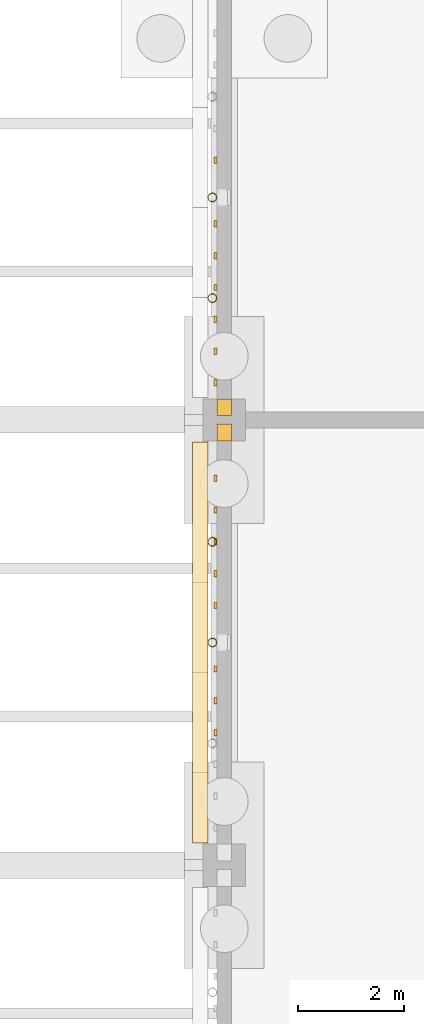
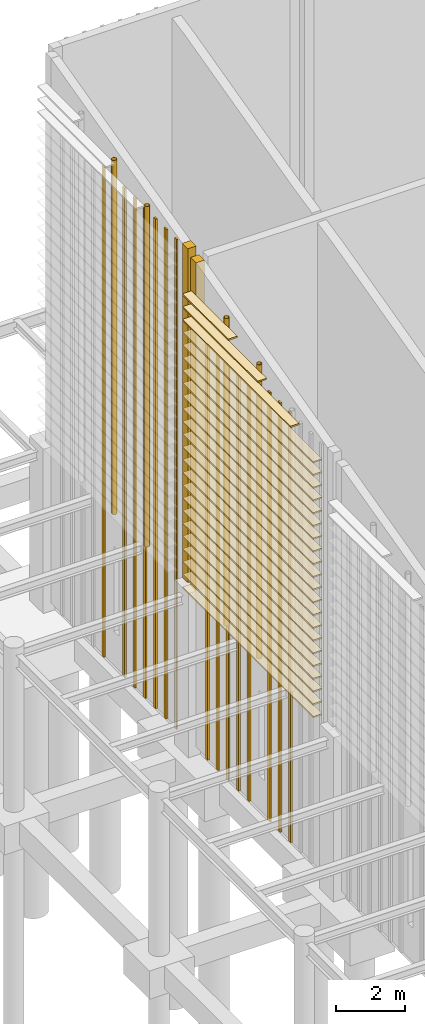
# One storey, part 66 of 82: 26 coverings, 19 shading devices.
"""IFC4 building model written with IfcOpenShell, lengths in metres."""

from ifc_helpers import new_model, si_unit, direction, frame, origin, origin_2d, place, context, subcontext, project, spatial, rectangle, hollow_circle, extrude, material, layer, layer_set, material_profile, profile_set, type_object, element, save


model = new_model("IFC4")

# Units and contexts
model_context = context("Model", 3, precision=1e-05, world=origin(), true_north=direction((0.0, 1.0)))
body_context = subcontext(model_context, "Body", "Model", "MODEL_VIEW")
ifc_project = project(units=[si_unit("LENGTHUNIT", "METRE"), si_unit("AREAUNIT", "SQUARE_METRE"), si_unit("VOLUMEUNIT", "CUBIC_METRE"), si_unit("PLANEANGLEUNIT", "RADIAN"), si_unit("MASSUNIT", "GRAM", prefix="KILO")], contexts=[model_context])

# Site, building, storey
site_placement = place(None, origin())
site = spatial("IfcSite", under=ifc_project, at=site_placement, CompositionType="ELEMENT")
building_placement = place(site_placement, origin())
building = spatial("IfcBuilding", under=site, at=building_placement, Name="Almond Square Museum", CompositionType="ELEMENT")
storey_placement = place(building_placement, origin())
storey = spatial("IfcBuildingStorey", under=building, at=storey_placement, Name="L00", CompositionType="ELEMENT", Elevation=0.0)

# Shading devices
ifc_material_1 = material(Name="Structural steel S355", Category="steel")
ifc_material_profile_1 = material_profile(ifc_material_1, hollow_circle(Radius=0.084228515625, WallThickness=0.008056640625, at=origin_2d()))
ifc_profile_set_1 = profile_set([ifc_material_profile_1], Name="Structural steel S355")
shading_device_type_1 = type_object("IfcShadingDeviceType", Name="Louvre post CHS 168.3 x 8", PredefinedType="USERDEFINED", material=ifc_profile_set_1)
shading_device_1_placement = place(storey_placement, frame((5.77587890625, 103.10009765625, 5.5), z_axis=(0.0, 0.0, 1.0), x_axis=(1.0, 0.0, 0.0)))
element("IfcShadingDevice", 1, at=shading_device_1_placement, inside=storey, type_object=shading_device_type_1, Name="Louvre screen post", ObjectType="POST", PredefinedType="USERDEFINED", context=body_context, shape_type="SweptSolid", body=[
    extrude(hollow_circle(Radius=0.084228515625, WallThickness=0.008056640625, at=origin_2d()), origin(), (0.0, 0.0, 1.0), 12.02587890625),
])
shading_device_2_placement = place(storey_placement, frame((5.77587890625, 105.0, 5.5), z_axis=(0.0, 0.0, 1.0), x_axis=(1.0, 0.0, 0.0)))
element("IfcShadingDevice", 2, at=shading_device_2_placement, inside=storey, type_object=shading_device_type_1, Name="Louvre screen post", ObjectType="POST", PredefinedType="USERDEFINED", context=body_context, shape_type="SweptSolid", body=[
    extrude(hollow_circle(Radius=0.084228515625, WallThickness=0.008056640625, at=origin_2d()), origin(), (0.0, 0.0, 1.0), 12.506591796875),
])
shading_device_3_placement = place(storey_placement, frame((5.77587890625, 96.60009765625, 5.5), z_axis=(0.0, 0.0, 1.0), x_axis=(1.0, 0.0, 0.0)))
element("IfcShadingDevice", 3, at=shading_device_3_placement, inside=storey, type_object=shading_device_type_1, Name="Louvre screen post", ObjectType="POST", PredefinedType="USERDEFINED", context=body_context, shape_type="SweptSolid", body=[
    extrude(hollow_circle(Radius=0.084228515625, WallThickness=0.008056640625, at=origin_2d()), origin(), (0.0, 0.0, 1.0), 10.381591796875),
])
shading_device_4_placement = place(storey_placement, frame((5.77587890625, 98.5, 5.5), z_axis=(0.0, 0.0, 1.0), x_axis=(1.0, 0.0, 0.0)))
element("IfcShadingDevice", 4, at=shading_device_4_placement, inside=storey, type_object=shading_device_type_1, Name="Louvre screen post", ObjectType="POST", PredefinedType="USERDEFINED", context=body_context, shape_type="SweptSolid", body=[
    extrude(hollow_circle(Radius=0.084228515625, WallThickness=0.008056640625, at=origin_2d()), origin(), (0.0, 0.0, 1.0), 10.8623046875),
])

# Coverings
ifc_material_2 = material(Name="Cedar timber louvre board", Category="wood")
ifc_material_profile_2 = material_profile(ifc_material_2, rectangle(XDim=0.300048828125, YDim=0.050048828125, at=origin_2d()))
ifc_profile_set_2 = profile_set([ifc_material_profile_2], Name="Cedar timber louvre board")
covering_type_1 = type_object("IfcCoveringType", Name="Louvre screen board 300 x 50", PredefinedType="CLADDING", material=ifc_profile_set_2)
for number, where, z_axis, x_axis, name in (
    (5, (5.545654296875, 92.820068359375, 5.800048828125), (0.0, 1.0, 0.0), (-1.0, 0.0, 0.0), "Louvre screen board"),
    (6, (5.545654296875, 92.820068359375, 6.25), (0.0, 1.0, 0.0), (-1.0, 0.0, 0.0), "Louvre screen board"),
    (7, (5.545654296875, 92.820068359375, 6.699951171875), (0.0, 1.0, 0.0), (-1.0, 0.0, 0.0), "Louvre screen board"),
    (8, (5.545654296875, 92.820068359375, 7.14990234375), (0.0, 1.0, 0.0), (-1.0, 0.0, 0.0), "Louvre screen board"),
    (9, (5.545654296875, 92.820068359375, 7.60009765625), (0.0, 1.0, 0.0), (-1.0, 0.0, 0.0), "Louvre screen board"),
    (10, (5.545654296875, 92.820068359375, 8.050048828125), (0.0, 1.0, 0.0), (-1.0, 0.0, 0.0), "Louvre screen board"),
    (11, (5.545654296875, 92.820068359375, 8.5), (0.0, 1.0, 0.0), (-1.0, 0.0, 0.0), "Louvre screen board"),
    (12, (5.545654296875, 92.820068359375, 8.949951171875), (0.0, 1.0, 0.0), (-1.0, 0.0, 0.0), "Louvre screen board"),
    (13, (5.545654296875, 92.820068359375, 9.39990234375), (0.0, 1.0, 0.0), (-1.0, 0.0, 0.0), "Louvre screen board"),
    (14, (5.545654296875, 92.820068359375, 9.85009765625), (0.0, 1.0, 0.0), (-1.0, 0.0, 0.0), "Louvre screen board"),
    (15, (5.545654296875, 92.820068359375, 10.300048828125), (0.0, 1.0, 0.0), (-1.0, 0.0, 0.0), "Louvre screen board"),
    (16, (5.545654296875, 92.820068359375, 10.75), (0.0, 1.0, 0.0), (-1.0, 0.0, 0.0), "Louvre screen board"),
    (17, (5.545654296875, 92.820068359375, 11.199951171875), (0.0, 1.0, 0.0), (-1.0, 0.0, 0.0), "Louvre screen board"),
    (18, (5.545654296875, 92.820068359375, 11.64990234375), (0.0, 1.0, 0.0), (-1.0, 0.0, 0.0), "Louvre screen board"),
    (19, (5.545654296875, 92.820068359375, 12.10009765625), (0.0, 1.0, 0.0), (-1.0, 0.0, 0.0), "Louvre screen board"),
    (20, (5.545654296875, 92.820068359375, 12.550048828125), (0.0, 1.0, 0.0), (-1.0, 0.0, 0.0), "Louvre screen board"),
    (21, (5.545654296875, 92.820068359375, 13.0), (0.0, 1.0, 0.0), (-1.0, 0.0, 0.0), "Louvre screen board"),
    (22, (5.545654296875, 92.820068359375, 13.449951171875), (0.0, 1.0, 0.0), (-1.0, 0.0, 0.0), "Louvre screen board"),
    (23, (5.545654296875, 92.820068359375, 13.89990234375), (0.0, 1.0, 0.0), (-1.0, 0.0, 0.0), "Louvre screen board"),
    (24, (5.545654296875, 92.820068359375, 14.35009765625), (0.0, 1.0, 0.0), (-1.0, 0.0, 0.0), "Louvre screen board"),
    (25, (5.545654296875, 92.820068359375, 14.800048828125), (0.0, 1.0, 0.0), (-1.0, 0.0, 0.0), "Louvre screen board"),
):
    element("IfcCovering", number, at=place(storey_placement, frame(where, z_axis=z_axis, x_axis=x_axis)), inside=storey, type_object=covering_type_1, Name=name, PredefinedType="CLADDING", context=body_context, shape_type="SweptSolid", body=[
        extrude(rectangle(XDim=0.300048828125, YDim=0.050048828125, at=origin_2d()), origin(), (0.0, 0.0, 1.0), 7.559814453125),
    ])
covering_1_placement = place(storey_placement, frame((5.545654296875, 94.14306640625, 15.25), z_axis=(0.0, 1.0, 0.0), x_axis=(-1.0, 0.0, 0.0)))
element("IfcCovering", 26, at=covering_1_placement, inside=storey, type_object=covering_type_1, Name="Louvre screen board", PredefinedType="CLADDING", context=body_context, shape_type="SweptSolid", body=[
    extrude(rectangle(XDim=0.300048828125, YDim=0.050048828125, at=origin_2d()), origin(), (0.0, 0.0, 1.0), 6.23681640625),
])
covering_2_placement = place(storey_placement, frame((5.545654296875, 96.032958984375, 15.699951171875), z_axis=(0.0, 1.0, 0.0), x_axis=(-1.0, 0.0, 0.0)))
element("IfcCovering", 27, at=covering_2_placement, inside=storey, type_object=covering_type_1, Name="Louvre screen board", PredefinedType="CLADDING", context=body_context, shape_type="SweptSolid", body=[
    extrude(rectangle(XDim=0.300048828125, YDim=0.050048828125, at=origin_2d()), origin(), (0.0, 0.0, 1.0), 4.346923828125),
])
covering_3_placement = place(storey_placement, frame((5.545654296875, 97.73388671875, 16.14990234375), z_axis=(0.0, 1.0, 0.0), x_axis=(-1.0, 0.0, 0.0)))
element("IfcCovering", 28, at=covering_3_placement, inside=storey, type_object=covering_type_1, Name="Louvre screen board", PredefinedType="CLADDING", context=body_context, shape_type="SweptSolid", body=[
    extrude(rectangle(XDim=0.300048828125, YDim=0.050048828125, at=origin_2d()), origin(), (0.0, 0.0, 1.0), 2.64599609375),
])

# Shading devices
ifc_material_3 = material(Name="Cedar timber batten", Category="wood")
ifc_material_profile_3 = material_profile(ifc_material_3, rectangle(XDim=0.06005859375, YDim=0.1201171875, at=origin_2d()))
ifc_profile_set_3 = profile_set([ifc_material_profile_3], Name="Cedar timber batten")
shading_device_type_2 = type_object("IfcShadingDeviceType", Name="Vertical timber batten 60 x 120", PredefinedType="USERDEFINED", material=ifc_profile_set_3)
for number, where, z_axis, x_axis, name in (
    (29, (5.83203125, 101.5, 0.0), (0.0, 0.0, 1.0), (-1.0, 0.0, 0.0), "Timber batten"),
    (30, (5.83203125, 102.10009765625, 0.0), (0.0, 0.0, 1.0), (-1.0, 0.0, 0.0), "Timber batten"),
    (31, (5.83203125, 102.699951171875, 0.0), (0.0, 0.0, 1.0), (-1.0, 0.0, 0.0), "Timber batten"),
    (32, (5.83203125, 103.300048828125, 0.0), (0.0, 0.0, 1.0), (-1.0, 0.0, 0.0), "Timber batten"),
    (33, (5.83203125, 103.89990234375, 0.0), (0.0, 0.0, 1.0), (-1.0, 0.0, 0.0), "Timber batten"),
    (34, (5.83203125, 104.5, 0.0), (0.0, 0.0, 1.0), (-1.0, 0.0, 0.0), "Timber batten"),
    (35, (5.83203125, 105.699951171875, 0.0), (0.0, 0.0, 1.0), (-1.0, 0.0, 0.0), "Timber batten"),
):
    element("IfcShadingDevice", number, at=place(storey_placement, frame(where, z_axis=z_axis, x_axis=x_axis)), inside=storey, type_object=shading_device_type_2, Name=name, ObjectType="FIN", PredefinedType="USERDEFINED", context=body_context, shape_type="SweptSolid", body=[
        extrude(rectangle(XDim=0.06005859375, YDim=0.1201171875, at=origin_2d()), origin(), (0.0, 0.0, 1.0), 17.295166015625),
    ])
for number, where, z_axis, x_axis, name in (
    (36, (5.83203125, 94.89990234375, 0.0), (0.0, 0.0, 1.0), (-1.0, 0.0, 0.0), "Timber batten"),
    (37, (5.83203125, 95.5, 0.0), (0.0, 0.0, 1.0), (-1.0, 0.0, 0.0), "Timber batten"),
    (38, (5.83203125, 96.10009765625, 0.0), (0.0, 0.0, 1.0), (-1.0, 0.0, 0.0), "Timber batten"),
    (39, (5.83203125, 97.300048828125, 0.0), (0.0, 0.0, 1.0), (-1.0, 0.0, 0.0), "Timber batten"),
    (40, (5.83203125, 97.89990234375, 0.0), (0.0, 0.0, 1.0), (-1.0, 0.0, 0.0), "Timber batten"),
    (41, (5.83203125, 98.5, 0.0), (0.0, 0.0, 1.0), (-1.0, 0.0, 0.0), "Timber batten"),
    (42, (5.83203125, 99.10009765625, 0.0), (0.0, 0.0, 1.0), (-1.0, 0.0, 0.0), "Timber batten"),
    (43, (5.83203125, 99.699951171875, 0.0), (0.0, 0.0, 1.0), (-1.0, 0.0, 0.0), "Timber batten"),
):
    element("IfcShadingDevice", number, at=place(storey_placement, frame(where, z_axis=z_axis, x_axis=x_axis)), inside=storey, type_object=shading_device_type_2, Name=name, ObjectType="FIN", PredefinedType="USERDEFINED", context=body_context, shape_type="SweptSolid", body=[
        extrude(rectangle(XDim=0.06005859375, YDim=0.1201171875, at=origin_2d()), origin(), (0.0, 0.0, 1.0), 15.170166015625),
    ])

# Coverings
ifc_material_4 = material(Name="Cladding panel to match the wall")
ifc_layer = layer(ifc_material_4, 0.050048828125)
ifc_layer_set = layer_set([ifc_layer], Name="Cladding panel to match the wall")
covering_type_2 = type_object("IfcCoveringType", Name="Wall end closure panel", PredefinedType="CLADDING", material=ifc_layer_set)
covering_4_placement = place(storey_placement, frame((6.0, 101.0400390625, 5.5), z_axis=(0.0, 0.0, 1.0), x_axis=(1.0, 0.0, 0.0)))
element("IfcCovering", 44, at=covering_4_placement, inside=storey, type_object=covering_type_2, Name="Wall end closure panel", PredefinedType="CLADDING", context=body_context, shape_type="SweptSolid", body=[
    extrude(rectangle(XDim=0.280029296875, YDim=0.320068359375, at=origin_2d()), origin(), (0.0, 0.0, 1.0), 11.79541015625),
])
covering_5_placement = place(storey_placement, frame((6.0, 100.56005859375, 5.5), z_axis=(0.0, 0.0, 1.0), x_axis=(1.0, 0.0, 0.0)))
element("IfcCovering", 45, at=covering_5_placement, inside=storey, type_object=covering_type_2, Name="Wall end closure panel", PredefinedType="CLADDING", context=body_context, shape_type="SweptSolid", body=[
    extrude(rectangle(XDim=0.280029296875, YDim=0.320068359375, at=origin_2d()), origin(), (0.0, 0.0, 1.0), 11.593017578125),
])

save(model, "model.ifc")
